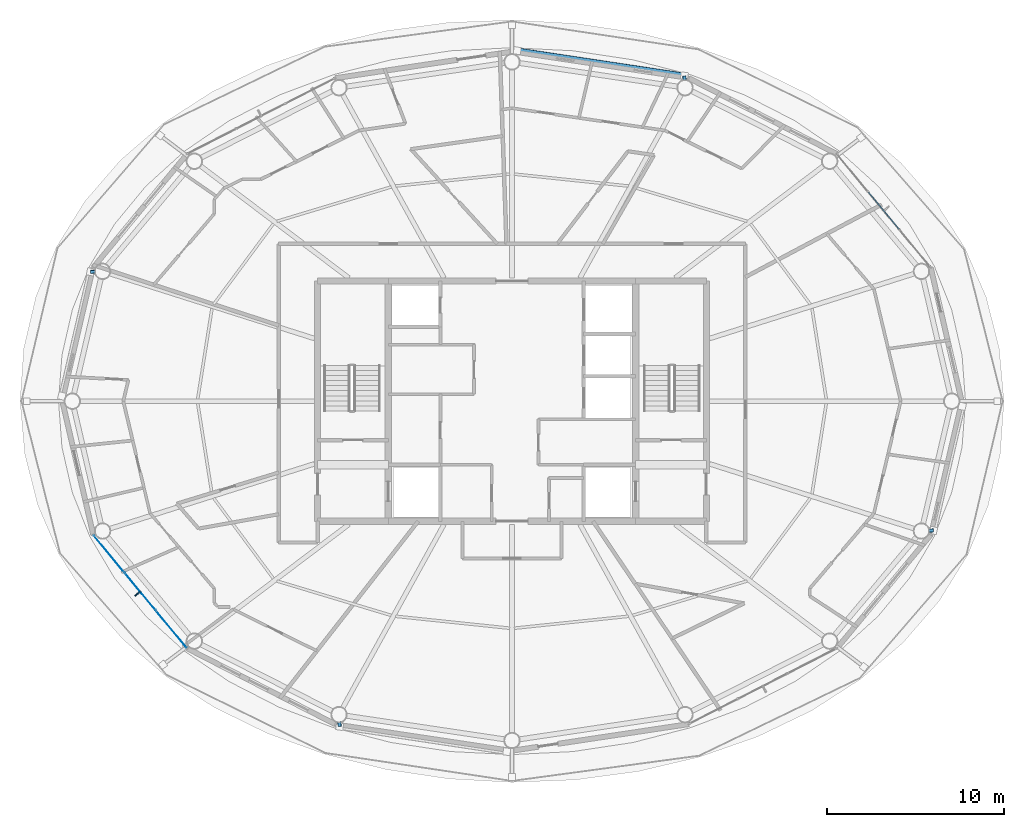
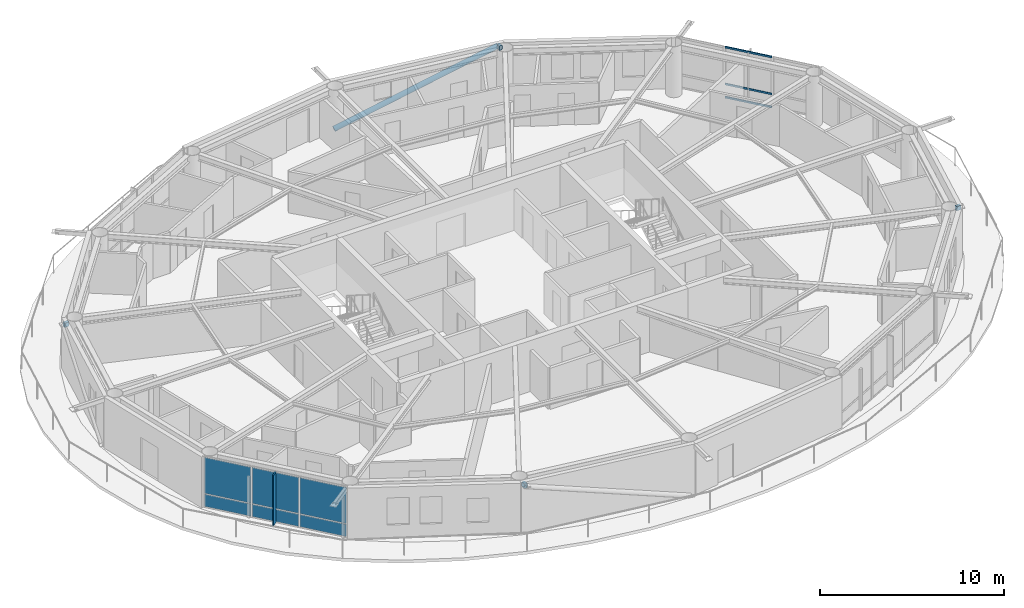
# One storey, part 12 of 22: 8 members, 7 plates, 2 elements without a shape of their own.
"""IFC4 building model written with IfcOpenShell, lengths in metres."""

from ifc_helpers import new_model, si_unit, direction, frame, origin, origin_2d, place, context, subcontext, project, spatial, rectangle, hollow_rectangle, hollow_circle, extrude, material, layer, layer_set, material_profile, profile_set, type_object, element, aggregate, save


model = new_model("IFC4")

# Units and contexts
model_context = context("Model", 3, precision=1e-05, world=origin(), true_north=direction((0.0, 1.0)))
body_context = subcontext(model_context, "Body", "Model", "MODEL_VIEW")
ifc_project = project(units=[si_unit("LENGTHUNIT", "METRE"), si_unit("AREAUNIT", "SQUARE_METRE"), si_unit("VOLUMEUNIT", "CUBIC_METRE"), si_unit("PLANEANGLEUNIT", "RADIAN"), si_unit("MASSUNIT", "GRAM", prefix="KILO")], contexts=[model_context])

# Site, building, storey
site_placement = place(None, origin())
site = spatial("IfcSite", under=ifc_project, at=site_placement, CompositionType="ELEMENT")
building_placement = place(site_placement, origin())
building = spatial("IfcBuilding", under=site, at=building_placement, Name="Sarneth Arch Tower", CompositionType="ELEMENT")
storey_placement = place(building_placement, frame((0.0, 0.0, 291.0)))
storey = spatial("IfcBuildingStorey", under=building, at=storey_placement, Name="L75", CompositionType="ELEMENT", Elevation=291.0)

# Curtain wall, members
ifc_material_1 = material(Name="Anodised aluminium Type AA25 and solar-control low-e laminated IGU", Category="aluminium")
ifc_layer_1 = layer(ifc_material_1, 0.179931640625)
ifc_layer_set_1 = layer_set([ifc_layer_1], Name="Anodised aluminium Type AA25 and solar-control low-e laminated IGU")
curtain_wall_type = type_object("IfcCurtainWallType", Name="CW-RES-HIGH", PredefinedType="NOTDEFINED", material=ifc_layer_set_1)
curtain_wall_1_placement = place(storey_placement, origin())
curtain_wall_1 = element("IfcCurtainWall", 1, at=curtain_wall_1_placement, inside=storey, type_object=curtain_wall_type, Name="L75 Unitised curtain wall facet 02", PredefinedType="NOTDEFINED")
ifc_material_2 = material(Name="Anodised Aluminium 6063-T6", Category="aluminium")
ifc_material_profile_1 = material_profile(ifc_material_2, hollow_rectangle(XDim=0.06005859375, YDim=0.1201171875, WallThickness=0.00390625, at=origin_2d()), Name="AL-TRAN-120x60x4")
ifc_profile_set_1 = profile_set([ifc_material_profile_1], Name="Anodised Aluminium 6063-T6")
member_type_1 = type_object("IfcMemberType", Name="CW-TRANSOM", PredefinedType="USERDEFINED", material=ifc_profile_set_1)
member_1_placement = place(storey_placement, frame((69.904296875, 51.731689453125, 0.030029296875), z_axis=(-0.637617371902, 0.770353222261, 0.0), x_axis=(-0.770353222261, -0.637617371902, 0.0)))
member_1 = element("IfcMember", 2, at=member_1_placement, type_object=member_type_1, Name="CW-SYS-6 transom 2.1", ObjectType="TRANSOM", PredefinedType="USERDEFINED", context=body_context, shape_type="SweptSolid", body=[
    extrude(hollow_rectangle(XDim=0.06005859375, YDim=0.1201171875, WallThickness=0.00390625, at=origin_2d()), origin(), (0.0, 0.0, 1.0), 2.716552734375),
])
member_2_placement = place(storey_placement, frame((69.904296875, 51.731689453125, 0.89990234375), z_axis=(-0.637617371902, 0.770353222261, 0.0), x_axis=(-0.770353222261, -0.637617371902, 0.0)))
member_2 = element("IfcMember", 3, at=member_2_placement, type_object=member_type_1, Name="CW-SYS-6 transom 2.2", ObjectType="TRANSOM", PredefinedType="USERDEFINED", context=body_context, shape_type="SweptSolid", body=[
    extrude(hollow_rectangle(XDim=0.06005859375, YDim=0.1201171875, WallThickness=0.00390625, at=origin_2d()), origin(), (0.0, 0.0, 1.0), 2.716552734375),
])
member_3_placement = place(storey_placement, frame((69.904296875, 51.731689453125, 3.340087890625), z_axis=(-0.637617371902, 0.770353222261, 0.0), x_axis=(-0.770353222261, -0.637617371902, 0.0)))
member_3 = element("IfcMember", 4, at=member_3_placement, type_object=member_type_1, Name="CW-SYS-6 transom 2.3", ObjectType="TRANSOM", PredefinedType="USERDEFINED", context=body_context, shape_type="SweptSolid", body=[
    extrude(hollow_rectangle(XDim=0.06005859375, YDim=0.1201171875, WallThickness=0.00390625, at=origin_2d()), origin(), (0.0, 0.0, 1.0), 2.716552734375),
])
aggregate(curtain_wall_1, [member_1, member_2, member_3])

# Members
ifc_material_3 = material(Name="Steel S355", Category="steel")
ifc_material_profile_2 = material_profile(ifc_material_3, hollow_rectangle(XDim=0.199951171875, YDim=0.300048828125, WallThickness=0.012451171875, InnerFilletRadius=0.018798828125, OuterFilletRadius=0.03125, at=origin_2d()), Name="RHS300x200x12.5")
ifc_profile_set_2 = profile_set([ifc_material_profile_2], Name="Steel S355")
member_type_2 = type_object("IfcMemberType", Name="MEM-CANT-STRUT", PredefinedType="STRUT", material=ifc_profile_set_2)
member_4_placement = place(storey_placement, frame((57.768798828125, 60.142822265625, 3.09228515625), z_axis=(-0.05446449316, 0.998515707931, 0.0), x_axis=(-0.998515707931, -0.05446449316, 0.0)))
element("IfcMember", 5, at=member_4_placement, inside=storey, type_object=member_type_2, Name="L75 Exoskeleton brace node strut 04B", PredefinedType="STRUT", context=body_context, shape_type="SweptSolid", body=[
    extrude(hollow_rectangle(XDim=0.199951171875, YDim=0.300048828125, WallThickness=0.012451171875, InnerFilletRadius=0.018798828125, OuterFilletRadius=0.03125, at=origin_2d()), origin(), (0.0, 0.0, 1.0), 0.26904296875),
])
member_5_placement = place(storey_placement, frame((24.426513671875, 49.32861328125, 3.09228515625), z_axis=(-0.998880000755, -0.047315368457, 0.0), x_axis=(0.047315368457, -0.998880000755, 0.0)))
element("IfcMember", 6, at=member_5_placement, inside=storey, type_object=member_type_2, Name="L75 Exoskeleton brace node strut 08B", PredefinedType="STRUT", context=body_context, shape_type="SweptSolid", body=[
    extrude(hollow_rectangle(XDim=0.199951171875, YDim=0.300048828125, WallThickness=0.012451171875, InnerFilletRadius=0.018798828125, OuterFilletRadius=0.03125, at=origin_2d()), origin(), (0.0, 0.0, 1.0), 0.278564453125),
])
member_6_placement = place(storey_placement, frame((38.231201171875, 23.857177734375, 3.09228515625), z_axis=(0.05446449316, -0.998515707931, 0.0), x_axis=(0.998515707931, 0.05446449316, 0.0)))
element("IfcMember", 7, at=member_6_placement, inside=storey, type_object=member_type_2, Name="L75 Exoskeleton brace node strut 12B", PredefinedType="STRUT", context=body_context, shape_type="SweptSolid", body=[
    extrude(hollow_rectangle(XDim=0.199951171875, YDim=0.300048828125, WallThickness=0.012451171875, InnerFilletRadius=0.018798828125, OuterFilletRadius=0.03125, at=origin_2d()), origin(), (0.0, 0.0, 1.0), 0.26904296875),
])
member_7_placement = place(storey_placement, frame((71.573486328125, 34.67138671875, 3.09228515625), z_axis=(0.998880000755, 0.047315368457, 0.0), x_axis=(-0.047315368457, 0.998880000755, 0.0)))
element("IfcMember", 8, at=member_7_placement, inside=storey, type_object=member_type_2, Name="L75 Exoskeleton brace node strut 16B", PredefinedType="STRUT", context=body_context, shape_type="SweptSolid", body=[
    extrude(hollow_rectangle(XDim=0.199951171875, YDim=0.300048828125, WallThickness=0.012451171875, InnerFilletRadius=0.018798828125, OuterFilletRadius=0.03125, at=origin_2d()), origin(), (0.0, 0.0, 1.0), 0.278564453125),
])
ifc_material_4 = material(Name="Steel S355", Category="steel")
ifc_material_profile_3 = material_profile(ifc_material_4, hollow_circle(Radius=0.162109375, WallThickness=0.012451171875, at=origin_2d()), Name="CHS324x12.5")
ifc_profile_set_3 = profile_set([ifc_material_profile_3], Name="Steel S355")
member_type_3 = type_object("IfcMemberType", Name="MEM-DIAG-BR3", PredefinedType="BRACE", material=ifc_profile_set_3)
member_8_placement = place(storey_placement, frame((48.296630859375, 61.83544921875, 0.02001953125), z_axis=(0.941471055877, -0.141762627625, 0.305835917372), x_axis=(0.148897148305, 0.988852688335, 0.0)))
element("IfcMember", 9, at=member_8_placement, inside=storey, type_object=member_type_3, Name="L75 Perimeter frame diagonal 04", PredefinedType="BRACE", context=body_context, shape_type="SweptSolid", body=[
    extrude(hollow_circle(Radius=0.162109375, WallThickness=0.012451171875, at=origin_2d()), origin(), (0.0, 0.0, 1.0), 10.04541015625),
])

# Curtain wall, plates
curtain_wall_2_placement = place(storey_placement, origin())
curtain_wall_2 = element("IfcCurtainWall", 10, at=curtain_wall_2_placement, inside=storey, type_object=curtain_wall_type, Name="L75 Unitised curtain wall facet 10", PredefinedType="NOTDEFINED")
ifc_material_5 = material(Name="Solar-control low-e laminated IGU", Category="glass")
ifc_layer_2 = layer(ifc_material_5, 0.028076171875)
ifc_layer_set_2 = layer_set([ifc_layer_2], Name="Solar-control low-e laminated IGU")
plate_type_1 = type_object("IfcPlateType", Name="CW-PANEL", PredefinedType="CURTAIN_PANEL", material=ifc_layer_set_2)
plate_1_placement = place(storey_placement, frame((25.200927734375, 33.349365234375, 0.06005859375), z_axis=(0.0, 0.0, 1.0), x_axis=(0.637610094184, -0.770359245933, 0.0)))
plate_1 = element("IfcPlate", 11, at=plate_1_placement, type_object=plate_type_1, Name="Curtain wall glazed vision pane CW-L75-F10/P00-00", PredefinedType="CURTAIN_PANEL", context=body_context, shape_type="SweptSolid", body=[
    extrude(rectangle(XDim=2.686767578125, YDim=0.028076171875, at=origin_2d()), origin(), (0.0, 0.0, 1.0), 0.81005859375),
])
plate_2_placement = place(storey_placement, frame((25.200927734375, 33.349365234375, 0.93017578125), z_axis=(0.0, 0.0, 1.0), x_axis=(0.637610094184, -0.770359245933, 0.0)))
plate_2 = element("IfcPlate", 12, at=plate_2_placement, type_object=plate_type_1, Name="Curtain wall glazed vision pane CW-L75-F10/P00-01", PredefinedType="CURTAIN_PANEL", context=body_context, shape_type="SweptSolid", body=[
    extrude(rectangle(XDim=2.686767578125, YDim=0.028076171875, at=origin_2d()), origin(), (0.0, 0.0, 1.0), 2.3798828125),
])
plate_3_placement = place(storey_placement, frame((26.9619140625, 31.221923828125, 0.06005859375), z_axis=(0.0, 0.0, 1.0), x_axis=(0.637610094184, -0.770359245933, 0.0)))
plate_3 = element("IfcPlate", 13, at=plate_3_placement, type_object=plate_type_1, Name="Curtain wall glazed vision pane CW-L75-F10/P01-00", PredefinedType="CURTAIN_PANEL", context=body_context, shape_type="SweptSolid", body=[
    extrude(rectangle(XDim=2.716552734375, YDim=0.028076171875, at=origin_2d()), origin(), (0.0, 0.0, 1.0), 0.81005859375),
])
plate_4_placement = place(storey_placement, frame((26.9619140625, 31.221923828125, 0.93017578125), z_axis=(0.0, 0.0, 1.0), x_axis=(0.637610094184, -0.770359245933, 0.0)))
plate_4 = element("IfcPlate", 14, at=plate_4_placement, type_object=plate_type_1, Name="Curtain wall glazed vision pane CW-L75-F10/P01-01", PredefinedType="CURTAIN_PANEL", context=body_context, shape_type="SweptSolid", body=[
    extrude(rectangle(XDim=2.716552734375, YDim=0.028076171875, at=origin_2d()), origin(), (0.0, 0.0, 1.0), 2.3798828125),
])
plate_5_placement = place(storey_placement, frame((28.72265625, 29.094482421875, 0.06005859375), z_axis=(0.0, 0.0, 1.0), x_axis=(0.637610094184, -0.770359245933, 0.0)))
plate_5 = element("IfcPlate", 15, at=plate_5_placement, type_object=plate_type_1, Name="Curtain wall glazed vision pane CW-L75-F10/P02-00", PredefinedType="CURTAIN_PANEL", context=body_context, shape_type="SweptSolid", body=[
    extrude(rectangle(XDim=2.686767578125, YDim=0.028076171875, at=origin_2d()), origin(), (0.0, 0.0, 1.0), 0.81005859375),
])
plate_6_placement = place(storey_placement, frame((28.72265625, 29.094482421875, 0.93017578125), z_axis=(0.0, 0.0, 1.0), x_axis=(0.637610094184, -0.770359245933, 0.0)))
plate_6 = element("IfcPlate", 16, at=plate_6_placement, type_object=plate_type_1, Name="Curtain wall glazed vision pane CW-L75-F10/P02-01", PredefinedType="CURTAIN_PANEL", context=body_context, shape_type="SweptSolid", body=[
    extrude(rectangle(XDim=2.686767578125, YDim=0.028076171875, at=origin_2d()), origin(), (0.0, 0.0, 1.0), 2.3798828125),
])
aggregate(curtain_wall_2, [plate_1, plate_2, plate_3, plate_4, plate_5, plate_6])

# Plate
ifc_material_6 = material(Name="Extruded glazed terracotta baguette fin on Aluminium 6063-T6 carrier", Category="masonry")
ifc_layer_3 = layer(ifc_material_6, 0.080078125)
ifc_layer_set_3 = layer_set([ifc_layer_3], Name="Extruded glazed terracotta baguette fin on Aluminium 6063-T6 carrier")
plate_type_2 = type_object("IfcPlateType", Name="SHADE-TERRA-FIN", PredefinedType="SHEET", material=ifc_layer_set_3)
plate_7_placement = place(storey_placement, frame((26.830810546875, 31.113525390625, 0.010009765625), z_axis=(0.0, 0.0, 1.0), x_axis=(-0.770401979567, -0.63755845997, 0.0)))
element("IfcPlate", 17, at=plate_7_placement, inside=storey, type_object=plate_type_2, Name="L75 Terracotta vertical shading fin 10", PredefinedType="SHEET", context=body_context, shape_type="SweptSolid", body=[
    extrude(rectangle(XDim=0.419921875, YDim=0.080078125, at=origin_2d()), origin(), (0.0, 0.0, 1.0), 3.35009765625),
])

save(model, "model.ifc")
